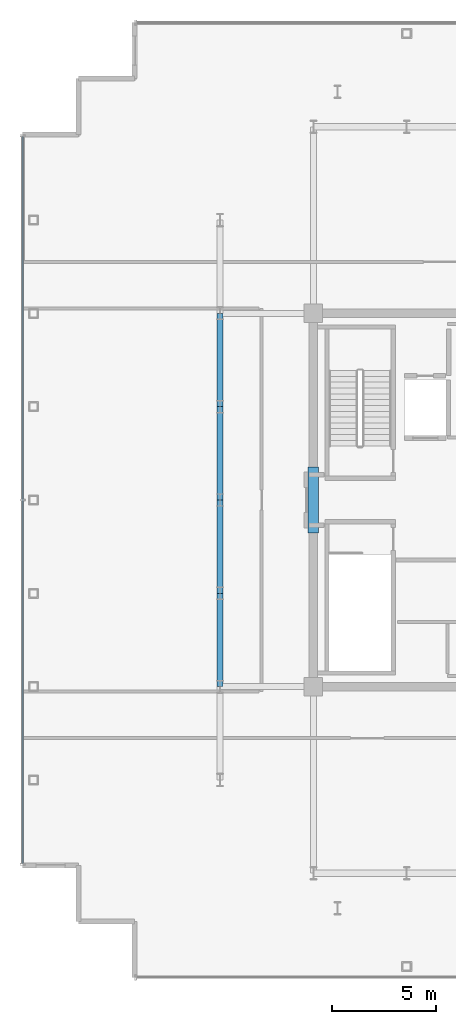
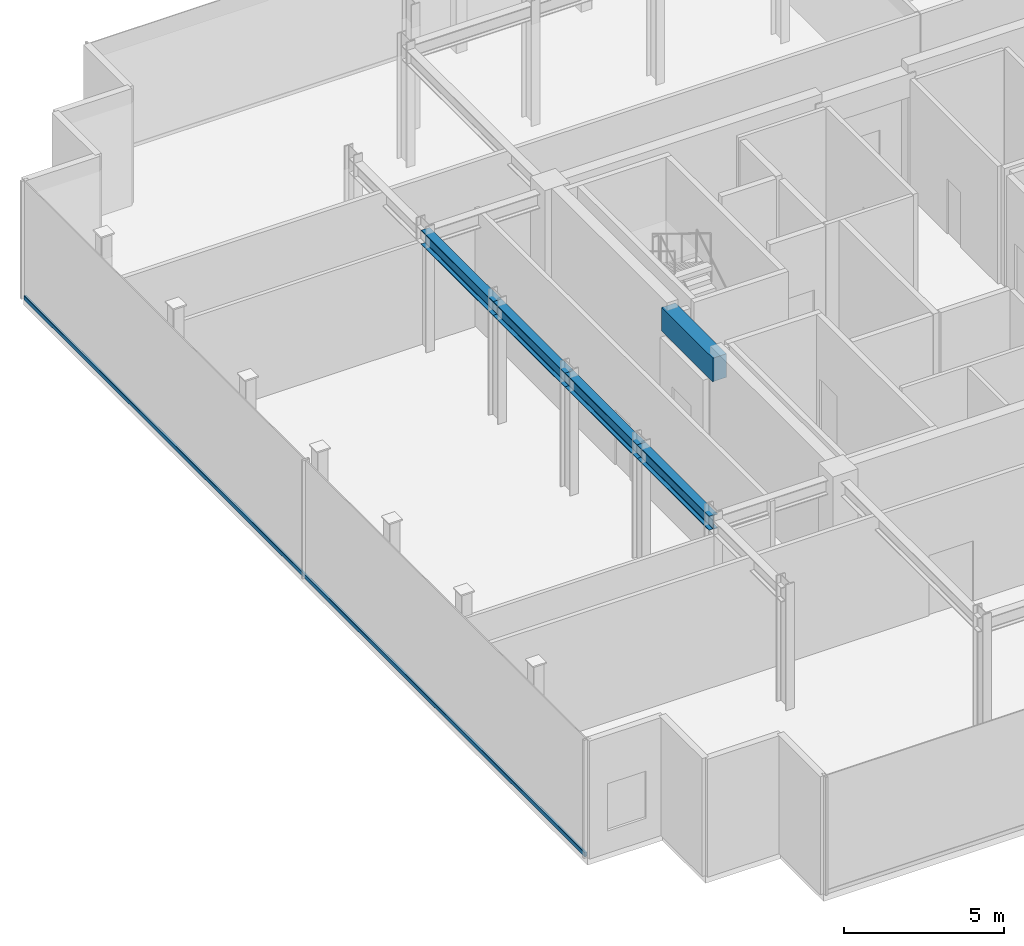
# One storey, part 5 of 17: 5 beams, 1 member, 1 element without a shape of its own.
"""IFC4 building model written with IfcOpenShell, lengths in metres."""

from ifc_helpers import new_model, si_unit, direction, frame, origin, origin_2d, place, context, subcontext, project, spatial, rectangle, hollow_rectangle, i_section, extrude, source, transform, mapped, material, layer, layer_set, material_profile, profile_set, type_object, element, aggregate, save


model = new_model("IFC4")

# Units and contexts
model_context = context("Model", 3, precision=1e-05, world=origin(), true_north=direction((0.0, 1.0)))
body_context = subcontext(model_context, "Body", "Model", "MODEL_VIEW")
ifc_project = project(units=[si_unit("LENGTHUNIT", "METRE"), si_unit("AREAUNIT", "SQUARE_METRE"), si_unit("VOLUMEUNIT", "CUBIC_METRE"), si_unit("PLANEANGLEUNIT", "RADIAN"), si_unit("MASSUNIT", "GRAM", prefix="KILO")], contexts=[model_context])

# Site, building, storey
site_placement = place(None, origin())
site = spatial("IfcSite", under=ifc_project, at=site_placement, CompositionType="ELEMENT")
building_placement = place(site_placement, origin())
building = spatial("IfcBuilding", under=site, at=building_placement, Name="Nefas-Gora Pilgrimage Tower", CompositionType="ELEMENT")
storey_placement = place(building_placement, frame((0.0, 0.0, 353.800048828125)))
storey = spatial("IfcBuildingStorey", under=building, at=storey_placement, Name="L89", CompositionType="ELEMENT", Elevation=353.800048828125)

# Beams
ifc_material_1 = material(Name="Concrete C50/60", Category="concrete")
ifc_material_profile_1 = material_profile(ifc_material_1, rectangle(XDim=0.5, YDim=0.89990234375, at=origin_2d()), Name="RC 500x900")
ifc_profile_set_1 = profile_set([ifc_material_profile_1], Name="Concrete C50/60")
beam_type_1 = type_object("IfcBeamType", Name="BM-LIN-RC900", PredefinedType="LINTEL", material=ifc_profile_set_1)
shared_shape_1 = source(origin(), body_context, "Body", "SweptSolid", [
    extrude(rectangle(XDim=0.5, YDim=0.89990234375, at=origin_2d()), origin(), (0.0, 0.0, 1.0), 3.2001953125),
])
beam_placement = place(storey_placement, frame((-11.25, -1.60009765625, 4.050048828125), z_axis=(0.0, 1.0, 0.0), x_axis=(-1.0, 0.0, 0.0)))
element("IfcBeam", 1, at=beam_placement, inside=storey, type_object=beam_type_1, Name="L89 Core Coupling Lintel Beam W", PredefinedType="LINTEL", context=body_context, shape_type="MappedRepresentation", body=[
    mapped(shared_shape_1, transform((0.0, 0.0, 0.0), x_axis=(1.0, 0.0, 0.0), y_axis=(0.0, 1.0, 0.0), z_axis=(0.0, 0.0, 1.0), scale=1.0)),
])
ifc_material_2 = material(Name="Steel S355", Category="steel")
ifc_material_profile_2 = material_profile(ifc_material_2, i_section(OverallWidth=0.300048828125, OverallDepth=0.550048828125, WebThickness=0.014892578125, FlangeThickness=0.029052734375, FilletRadius=0.027099609375, at=origin_2d()), Name="HEB 550")
ifc_profile_set_2 = profile_set([ifc_material_profile_2], Name="Steel S355")
beam_type_2 = type_object("IfcBeamType", Name="BM-GIR-HEB550", PredefinedType="BEAM", material=ifc_profile_set_2)
shared_shape_2 = source(origin(), body_context, "Body", "SweptSolid", [
    extrude(i_section(OverallWidth=0.300048828125, OverallDepth=0.550048828125, WebThickness=0.014892578125, FlangeThickness=0.029052734375, FilletRadius=0.027099609375, at=origin_2d()), origin(), (0.0, 0.0, 1.0), 4.5),
])
for number, where, z_axis, x_axis, name in (
    (2, (-15.75, -9.0, 4.224853515625), (0.0, 1.0, 0.0), (-1.0, 0.0, 0.0), "L89 G-05 beam"),
    (3, (-15.75, -4.5, 4.224853515625), (0.0, 1.0, 0.0), (-1.0, 0.0, 0.0), "L89 G-05 beam"),
    (4, (-15.75, 0.0, 4.224853515625), (0.0, 1.0, 0.0), (-1.0, 0.0, 0.0), "L89 G-05 beam"),
    (5, (-15.75, 4.5, 4.224853515625), (0.0, 1.0, 0.0), (-1.0, 0.0, 0.0), "L89 G-05 beam"),
):
    element("IfcBeam", number, at=place(storey_placement, frame(where, z_axis=z_axis, x_axis=x_axis)), inside=storey, type_object=beam_type_2, Name=name, PredefinedType="BEAM", context=body_context, shape_type="MappedRepresentation", body=[
        mapped(shared_shape_2, transform((0.0, 0.0, 0.0), x_axis=(1.0, 0.0, 0.0), y_axis=(0.0, 1.0, 0.0), z_axis=(0.0, 0.0, 1.0), scale=1.0)),
    ])

# Curtain wall, member
ifc_material_3 = material(Name="Dark ceramic-fritted solar-control aluminium-glass curtain wall", Category="aluminium")
ifc_layer = layer(ifc_material_3, 0.219970703125)
ifc_layer_set = layer_set([ifc_layer], Name="Dark ceramic-fritted solar-control aluminium-glass curtain wall")
curtain_wall_type = type_object("IfcCurtainWallType", Name="CW-SYS-6", PredefinedType="NOTDEFINED", material=ifc_layer_set)
curtain_wall_placement = place(storey_placement, origin())
curtain_wall = element("IfcCurtainWall", 6, at=curtain_wall_placement, inside=storey, type_object=curtain_wall_type, Name="L89 Unitised Curtain Wall CW6", PredefinedType="NOTDEFINED")
ifc_material_4 = material(Name="Anodised architectural aluminium", Category="aluminium")
ifc_material_profile_3 = material_profile(ifc_material_4, hollow_rectangle(XDim=0.080078125, YDim=0.159912109375, WallThickness=0.00439453125, InnerFilletRadius=0.00439453125, OuterFilletRadius=0.009033203125, at=origin_2d()), Name="ALU TRANSOM 80x160")
ifc_profile_set_3 = profile_set([ifc_material_profile_3], Name="Anodised architectural aluminium")
member_type = type_object("IfcMemberType", Name="CWM-TRN-6", PredefinedType="USERDEFINED", material=ifc_profile_set_3)
shared_shape_3 = source(origin(), body_context, "Body", "SweptSolid", [
    extrude(hollow_rectangle(XDim=0.080078125, YDim=0.159912109375, WallThickness=0.00439453125, InnerFilletRadius=0.00439453125, OuterFilletRadius=0.009033203125, at=origin_2d()), origin(), (0.0, 0.0, 1.0), 35.06005859375),
])
member_placement = place(storey_placement, frame((-25.27001953125, 17.530029296875, 0.050048828125), z_axis=(0.0, -1.0, 0.0), x_axis=(1.0, 0.0, 0.0)))
member = element("IfcMember", 7, at=member_placement, type_object=member_type, Name="CW6 Spandrel Transom", ObjectType="TRANSOM", PredefinedType="USERDEFINED", context=body_context, shape_type="MappedRepresentation", body=[
    mapped(shared_shape_3, transform((0.0, 0.0, 0.0), x_axis=(1.0, 0.0, 0.0), y_axis=(0.0, 1.0, 0.0), z_axis=(0.0, 0.0, 1.0), scale=1.0)),
])
aggregate(curtain_wall, [member])

save(model, "model.ifc")
